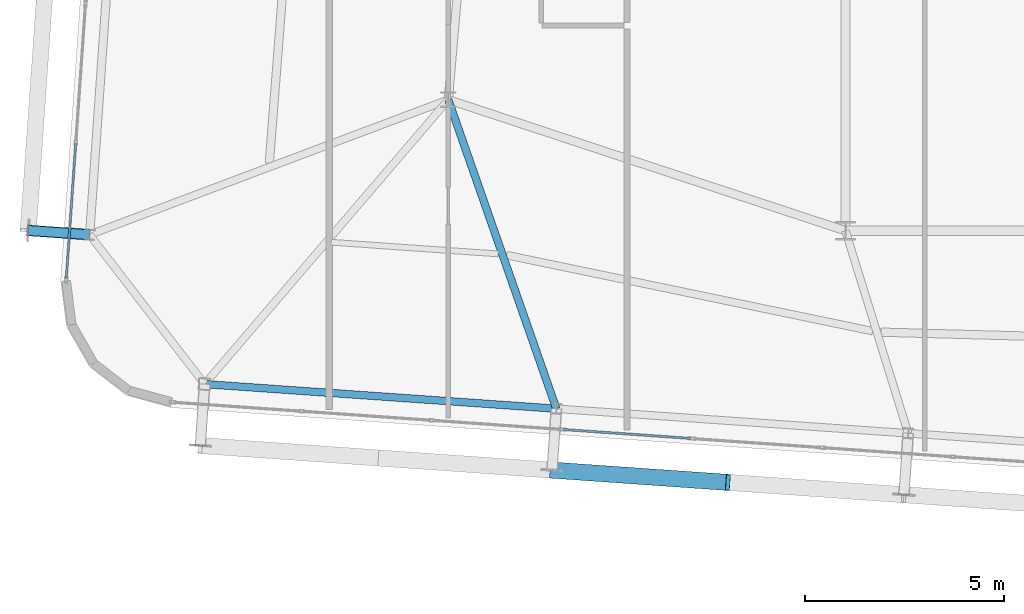
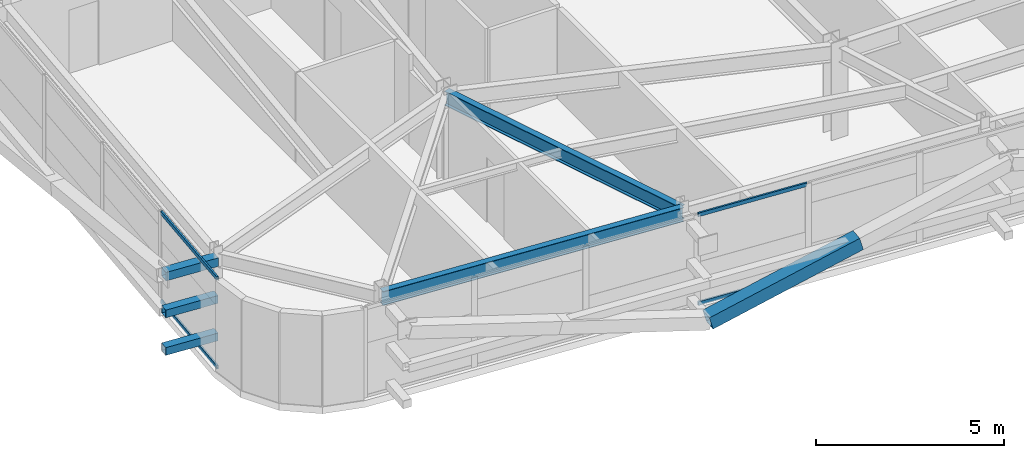
# One storey, part 7 of 47: 8 members, 2 beams, 2 elements without a shape of their own.
"""IFC4 building model written with IfcOpenShell, lengths in metres."""

from ifc_helpers import new_model, si_unit, direction, frame, origin, origin_2d, place, context, subcontext, project, spatial, hollow_rectangle, i_section, extrude, source, transform, mapped, material, layer, layer_set, material_profile, profile_set, type_object, element, aggregate, save


model = new_model("IFC4")

# Units and contexts
model_context = context("Model", 3, precision=1e-05, world=origin(), true_north=direction((0.0, 1.0)))
body_context = subcontext(model_context, "Body", "Model", "MODEL_VIEW")
ifc_project = project(units=[si_unit("LENGTHUNIT", "METRE"), si_unit("AREAUNIT", "SQUARE_METRE"), si_unit("VOLUMEUNIT", "CUBIC_METRE"), si_unit("PLANEANGLEUNIT", "RADIAN"), si_unit("MASSUNIT", "GRAM", prefix="KILO")], contexts=[model_context])

# Site, building, storey
site_placement = place(None, origin())
site = spatial("IfcSite", under=ifc_project, at=site_placement, CompositionType="ELEMENT")
building_placement = place(site_placement, origin())
building = spatial("IfcBuilding", under=site, at=building_placement, Name="Taldren Reach Tower", CompositionType="ELEMENT")
storey_placement = place(building_placement, frame((0.0, 0.0, 142.449951171875)))
storey = spatial("IfcBuildingStorey", under=building, at=storey_placement, Name="L43", CompositionType="ELEMENT", Elevation=142.449951171875)

# Members
ifc_material_1 = material(Name="Steel Gr 450 (C450L0)", Category="steel")
ifc_material_profile_1 = material_profile(ifc_material_1, hollow_rectangle(XDim=0.27490234375, YDim=0.27490234375, WallThickness=0.00927734375, at=origin_2d()), Name="275x275x9.3SHS")
ifc_profile_set_1 = profile_set([ifc_material_profile_1], Name="Steel Gr 450 (C450L0)")
member_type_1 = type_object("IfcMemberType", Name="MB-TIE273", PredefinedType="STRUT", material=ifc_profile_set_1)
shared_shape_1 = source(origin(), body_context, "Body", "SweptSolid", [
    extrude(hollow_rectangle(XDim=0.27490234375, YDim=0.27490234375, WallThickness=0.00927734375, at=origin_2d()), origin(), (0.0, 0.0, 1.0), 1.5498046875),
])
member_1_placement = place(storey_placement, frame((8.96875, 9.099609375, 2.650146484375), z_axis=(-0.997573320145, 0.069623781384, 0.0), x_axis=(-0.069623781384, -0.997573320145, 0.0)))
element("IfcMember", 1, at=member_1_placement, inside=storey, type_object=member_type_1, Name="Exoskeleton diaphragm tie strut B3-W1 L43", PredefinedType="STRUT", context=body_context, shape_type="MappedRepresentation", body=[
    mapped(shared_shape_1, transform((0.0, 0.0, 0.0), scale=1.0)),
])
ifc_material_2 = material(Name="Steel Gr 350 (C350L0)", Category="steel")
ifc_material_profile_2 = material_profile(ifc_material_2, hollow_rectangle(XDim=0.25, YDim=0.25, WallThickness=0.010009765625, at=origin_2d()), Name="250x250x10.0SHS")
ifc_profile_set_2 = profile_set([ifc_material_profile_2], Name="Steel Gr 350 (C350L0)")
member_type_2 = type_object("IfcMemberType", Name="MB-POST250", PredefinedType="POST", material=ifc_profile_set_2)
shared_shape_2 = source(origin(), body_context, "Body", "SweptSolid", [
    extrude(hollow_rectangle(XDim=0.25, YDim=0.25, WallThickness=0.010009765625, at=origin_2d()), origin(), (0.0, 0.0, 1.0), 1.5498046875),
])
for number, where, z_axis, x_axis, name in (
    (2, (8.96875, 9.099609375, 0.219970703125), (-0.997573320145, 0.069623781384, 0.0), (-0.069623781384, -0.997573320145, 0.0), "Exoskeleton base diaphragm tie strut B3-W1 L43"),
    (3, (8.96875, 9.099609375, 1.43505859375), (-0.997573320145, 0.069623781384, 0.0), (-0.069623781384, -0.997573320145, 0.0), "Exoskeleton mid-tier diaphragm tie B3-W1 L43"),
):
    element("IfcMember", number, at=place(storey_placement, frame(where, z_axis=z_axis, x_axis=x_axis)), inside=storey, type_object=member_type_2, Name=name, PredefinedType="POST", context=body_context, shape_type="MappedRepresentation", body=[
        mapped(shared_shape_2, transform((0.0, 0.0, 0.0), scale=1.0)),
    ])

# Beams
ifc_material_3 = material(Name="Steel Gr 350 (350PLUS)", Category="steel")
ifc_material_profile_3 = material_profile(ifc_material_3, i_section(OverallWidth=0.18994140625, OverallDepth=0.4541015625, WebThickness=0.008544921875, FlangeThickness=0.0126953125, at=origin_2d()), Name="460UB67.1")
ifc_profile_set_3 = profile_set([ifc_material_profile_3], Name="Steel Gr 350 (350PLUS)")
beam_type_1 = type_object("IfcBeamType", Name="SP-UB460B", PredefinedType="SPANDREL", material=ifc_profile_set_3)
shared_shape_3 = source(origin(), body_context, "Body", "SweptSolid", [
    extrude(i_section(OverallWidth=0.18994140625, OverallDepth=0.4541015625, WebThickness=0.008544921875, FlangeThickness=0.0126953125, at=origin_2d()), origin(), (0.0, 0.0, 1.0), 8.880126953125),
])
beam_1_placement = place(storey_placement, frame((11.863525390625, 5.33837890625, 2.703125), z_axis=(0.997564479639, -0.069750333063, 0.0), x_axis=(0.069750333063, 0.997564479639, 0.0)))
element("IfcBeam", 4, at=beam_1_placement, inside=storey, type_object=beam_type_1, Name="Perimeter spandrel B3 S1-S2 L43", PredefinedType="SPANDREL", context=body_context, shape_type="MappedRepresentation", body=[
    mapped(shared_shape_3, transform((0.0, 0.0, 0.0), scale=1.0)),
])
ifc_material_profile_4 = material_profile(ifc_material_3, i_section(OverallWidth=0.19091796875, OverallDepth=0.4599609375, WebThickness=0.010009765625, FlangeThickness=0.01611328125, at=origin_2d()), Name="460UB82.1")
ifc_profile_set_4 = profile_set([ifc_material_profile_4], Name="Steel Gr 350 (350PLUS)")
beam_type_2 = type_object("IfcBeamType", Name="BM-UB460A", PredefinedType="BEAM", material=ifc_profile_set_4)
shared_shape_4 = source(origin(), body_context, "Body", "SweptSolid", [
    extrude(i_section(OverallWidth=0.19091796875, OverallDepth=0.4599609375, WebThickness=0.010009765625, FlangeThickness=0.01611328125, at=origin_2d()), origin(), (0.0, 0.0, 1.0), 8.243408203125),
])
beam_2_placement = place(storey_placement, frame((18.0, 12.5, 2.699951171875), z_axis=(0.330196070713, -0.943912366105, 0.0), x_axis=(0.943912366105, 0.330196070713, 0.0)))
element("IfcBeam", 5, at=beam_2_placement, inside=storey, type_object=beam_type_2, Name="Primary floor girder B3-S2 L43", PredefinedType="BEAM", context=body_context, shape_type="MappedRepresentation", body=[
    mapped(shared_shape_4, transform((0.0, 0.0, 0.0), scale=1.0)),
])

# Member
ifc_material_profile_5 = material_profile(ifc_material_1, hollow_rectangle(XDim=0.409912109375, YDim=0.409912109375, WallThickness=0.01611328125, at=origin_2d()), Name="410x410x16.0SHS")
ifc_profile_set_5 = profile_set([ifc_material_profile_5], Name="Steel Gr 450 (C450L0)")
member_type_3 = type_object("IfcMemberType", Name="MB-EXO406", PredefinedType="BRACE", material=ifc_profile_set_5)
shared_shape_5 = source(origin(), body_context, "Body", "SweptSolid", [
    extrude(hollow_rectangle(XDim=0.409912109375, YDim=0.409912109375, WallThickness=0.01611328125, at=origin_2d()), origin(), (0.0, 0.0, 1.0), 4.603271484375),
])
member_2_placement = place(storey_placement, frame((20.61376953125, 3.1728515625, 0.219970703125), z_axis=(0.962182351074, -0.067302910567, 0.263961060594), x_axis=(0.06977769246, 0.997562566276, 0.0)))
element("IfcMember", 6, at=member_2_placement, inside=storey, type_object=member_type_3, Name="Exoskeleton Diagrid Brace B3-S2 L43", PredefinedType="BRACE", context=body_context, shape_type="MappedRepresentation", body=[
    mapped(shared_shape_5, transform((0.0, 0.0, 0.0), scale=1.0)),
])

# Curtain wall, members
ifc_material_4 = material(Name="Aluminium and Low-E Glass Unitised System", Category="aluminium")
ifc_layer = layer(ifc_material_4, 0.159912109375)
ifc_layer_set = layer_set([ifc_layer], Name="Aluminium and Low-E Glass Unitised System")
curtain_wall_type = type_object("IfcCurtainWallType", Name="CW-SYS-4", PredefinedType="NOTDEFINED", material=ifc_layer_set)
curtain_wall_1_placement = place(storey_placement, origin())
curtain_wall_1 = element("IfcCurtainWall", 7, at=curtain_wall_1_placement, inside=storey, type_object=curtain_wall_type, Name="Unitised curtain wall CW-L43-S", PredefinedType="NOTDEFINED")
ifc_material_5 = material(Name="Anodised Aluminium 6063-T6", Category="aluminium")
ifc_material_profile_6 = material_profile(ifc_material_5, hollow_rectangle(XDim=0.054931640625, YDim=0.1201171875, WallThickness=0.0029296875, at=origin_2d()), Name="ALU-120x55x3RHS")
ifc_profile_set_6 = profile_set([ifc_material_profile_6], Name="Anodised Aluminium 6063-T6")
member_type_4 = type_object("IfcMemberType", Name="CW-TRN-135", PredefinedType="USERDEFINED", material=ifc_profile_set_6)
shared_shape_6 = source(origin(), body_context, "Body", "SweptSolid", [
    extrude(hollow_rectangle(XDim=0.054931640625, YDim=0.1201171875, WallThickness=0.0029296875, at=origin_2d()), origin(), (0.0, 0.0, 1.0), 3.2158203125),
])
member_3_placement = place(storey_placement, frame((20.89794921875, 4.1953125, 0.027587890625), z_axis=(0.997568476954, -0.069693140171, 0.0), x_axis=(0.069693140171, 0.997568476954, 0.0)))
member_3 = element("IfcMember", 8, at=member_3_placement, type_object=member_type_4, Name="CW-4 transom 4.1", ObjectType="TRANSOM", PredefinedType="USERDEFINED", context=body_context, shape_type="MappedRepresentation", body=[
    mapped(shared_shape_6, transform((0.0, 0.0, 0.0), scale=1.0)),
])
member_4_placement = place(storey_placement, frame((20.89794921875, 4.1953125, 2.902587890625), z_axis=(0.997568476954, -0.069693140171, 0.0), x_axis=(0.069693140171, 0.997568476954, 0.0)))
member_4 = element("IfcMember", 9, at=member_4_placement, type_object=member_type_4, Name="CW-4 transom 4.2", ObjectType="TRANSOM", PredefinedType="USERDEFINED", context=body_context, shape_type="MappedRepresentation", body=[
    mapped(shared_shape_6, transform((0.0, 0.0, 0.0), scale=1.0)),
])
aggregate(curtain_wall_1, [member_3, member_4])

curtain_wall_2_placement = place(storey_placement, origin())
curtain_wall_2 = element("IfcCurtainWall", 10, at=curtain_wall_2_placement, inside=storey, type_object=curtain_wall_type, Name="Unitised curtain wall CW-L43-W", PredefinedType="NOTDEFINED")
shared_shape_7 = source(origin(), body_context, "Body", "SweptSolid", [
    extrude(hollow_rectangle(XDim=0.054931640625, YDim=0.1201171875, WallThickness=0.0029296875, at=origin_2d()), origin(), (0.0, 0.0, 1.0), 3.39501953125),
])
member_5_placement = place(storey_placement, frame((8.6181640625, 11.39453125, 0.027587890625), z_axis=(-0.069754703634, -0.997564174036, 0.0), x_axis=(0.997564174036, -0.069754703634, 0.0)))
member_5 = element("IfcMember", 11, at=member_5_placement, type_object=member_type_4, Name="CW-4 transom 8.1", ObjectType="TRANSOM", PredefinedType="USERDEFINED", context=body_context, shape_type="MappedRepresentation", body=[
    mapped(shared_shape_7, transform((0.0, 0.0, 0.0), scale=1.0)),
])
member_6_placement = place(storey_placement, frame((8.6181640625, 11.39453125, 2.902587890625), z_axis=(-0.069754703634, -0.997564174036, 0.0), x_axis=(0.997564174036, -0.069754703634, 0.0)))
member_6 = element("IfcMember", 12, at=member_6_placement, type_object=member_type_4, Name="CW-4 transom 8.2", ObjectType="TRANSOM", PredefinedType="USERDEFINED", context=body_context, shape_type="MappedRepresentation", body=[
    mapped(shared_shape_7, transform((0.0, 0.0, 0.0), scale=1.0)),
])
aggregate(curtain_wall_2, [member_5, member_6])

save(model, "model.ifc")
